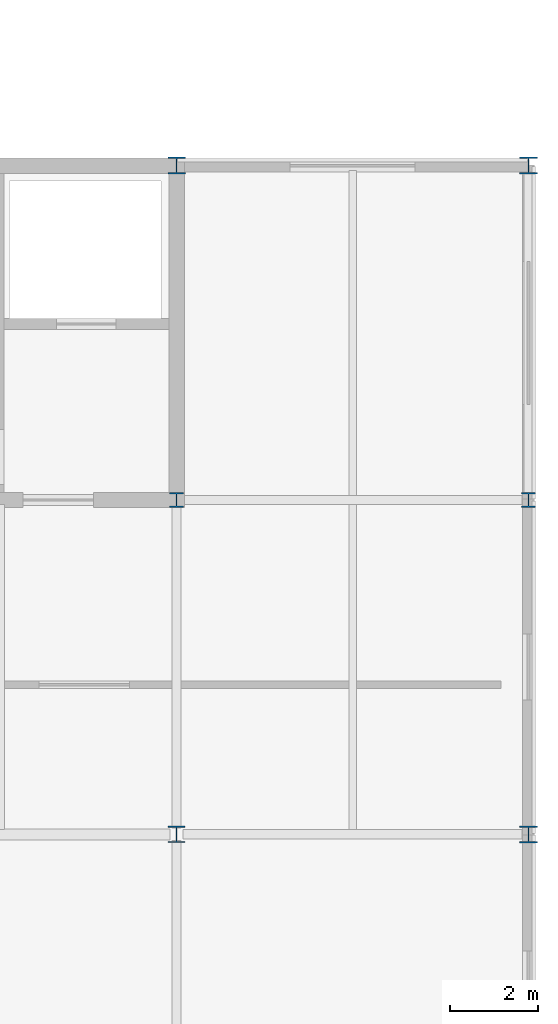
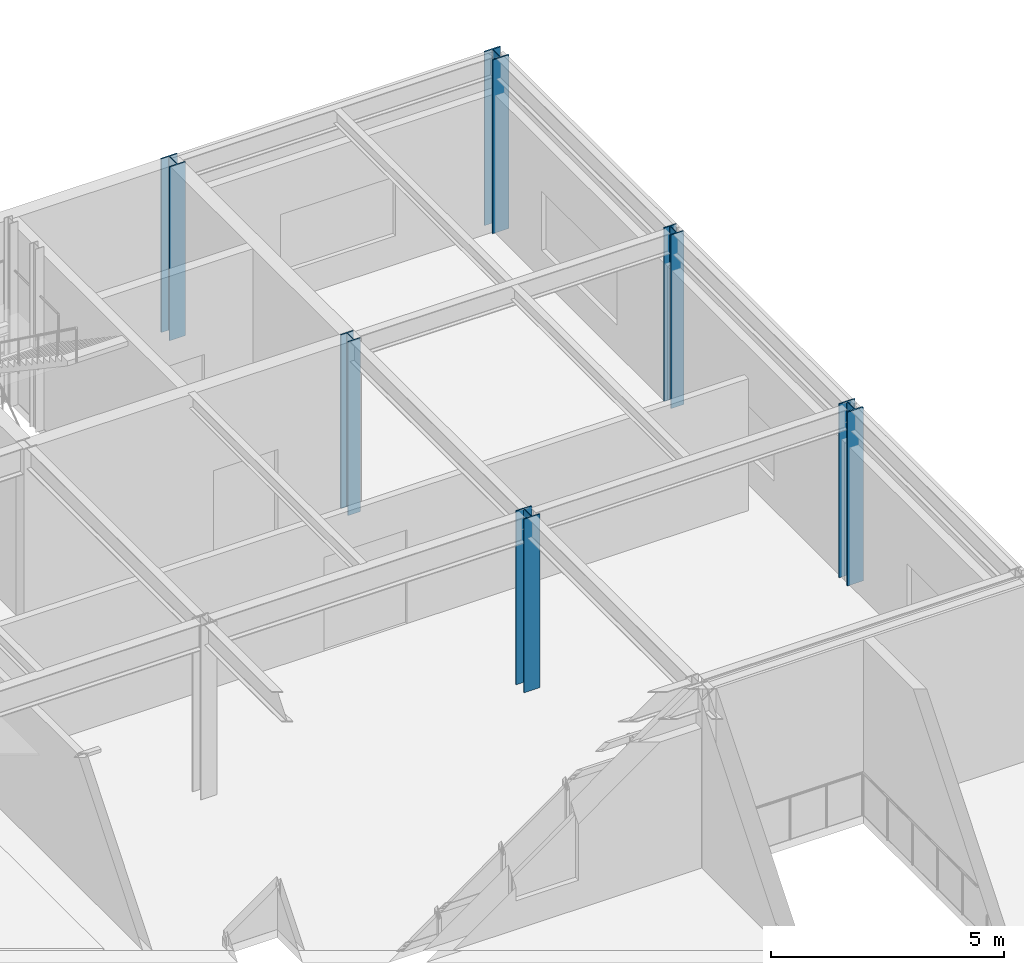
# One storey, part 18 of 104: 6 columns.
"""IFC4 building model written with IfcOpenShell, lengths in metres."""

from ifc_helpers import new_model, si_unit, direction, frame, origin, origin_2d, place, context, subcontext, project, spatial, i_section, extrude, material, material_profile, profile_set, type_object, element, save


model = new_model("IFC4")

# Units and contexts
model_context = context("Model", 3, precision=1e-05, world=origin(), true_north=direction((0.0, 1.0)))
body_context = subcontext(model_context, "Body", "Model", "MODEL_VIEW")
ifc_project = project(units=[si_unit("LENGTHUNIT", "METRE"), si_unit("AREAUNIT", "SQUARE_METRE"), si_unit("VOLUMEUNIT", "CUBIC_METRE"), si_unit("PLANEANGLEUNIT", "RADIAN"), si_unit("MASSUNIT", "GRAM", prefix="KILO")], contexts=[model_context])

# Site, building, storey
site_placement = place(None, origin())
site = spatial("IfcSite", under=ifc_project, at=site_placement, CompositionType="ELEMENT")
building_placement = place(site_placement, origin())
building = spatial("IfcBuilding", under=site, at=building_placement, Name="Zulena Civic Courthouse", CompositionType="ELEMENT")
storey_placement = place(building_placement, frame((0.0, 0.0, 15.60009765625)))
storey = spatial("IfcBuildingStorey", under=building, at=storey_placement, Name="L03", CompositionType="ELEMENT", Elevation=15.60009765625)

# Columns
ifc_material = material(Name="Steel ASTM A992 Grade 50", Category="steel")
ifc_material_profile_1 = material_profile(ifc_material, i_section(OverallWidth=0.31298828125, OverallDepth=0.3330078125, WebThickness=0.01806640625, FlangeThickness=0.0283203125, FilletRadius=0.01513671875, at=origin_2d()), Name="W12X120")
ifc_profile_set_1 = profile_set([ifc_material_profile_1], Name="Steel ASTM A992 Grade 50")
column_type_1 = type_object("IfcColumnType", Name="Col_W12X120", PredefinedType="COLUMN", material=ifc_profile_set_1)
for number, where, z_axis, x_axis, name in (
    (1, (164.0, 45.60009765625, 0.0), (0.0, 0.0, 1.0), (1.0, 0.0, 0.0), "col:V3:L03:164.0:45.6"),
    (2, (172.0, 45.60009765625, 0.0), (0.0, 0.0, 1.0), (1.0, 0.0, 0.0), "col:V3:L03:172.0:45.6"),
):
    element("IfcColumn", number, at=place(storey_placement, frame(where, z_axis=z_axis, x_axis=x_axis)), inside=storey, type_object=column_type_1, Name=name, PredefinedType="COLUMN", context=body_context, shape_type="SweptSolid", body=[
        extrude(i_section(OverallWidth=0.31298828125, OverallDepth=0.3330078125, WebThickness=0.01806640625, FlangeThickness=0.0283203125, FilletRadius=0.01513671875, at=origin_2d()), origin(), (0.0, 0.0, 1.0), 4.544921875),
    ])
ifc_material_profile_2 = material_profile(ifc_material, i_section(OverallWidth=0.39404296875, OverallDepth=0.3759765625, WebThickness=0.017333984375, FlangeThickness=0.027587890625, FilletRadius=0.01513671875, at=origin_2d()), Name="W14X145")
ifc_profile_set_2 = profile_set([ifc_material_profile_2], Name="Steel ASTM A992 Grade 50")
column_type_2 = type_object("IfcColumnType", Name="Col_W14X145", PredefinedType="COLUMN", material=ifc_profile_set_2)
column_placement = place(storey_placement, frame((164.0, 38.0, 0.0), z_axis=(0.0, 0.0, 1.0), x_axis=(1.0, 0.0, 0.0)))
element("IfcColumn", 3, at=column_placement, inside=storey, type_object=column_type_2, Name="col:V3:L03:164.0:38.0", PredefinedType="COLUMN", context=body_context, shape_type="SweptSolid", body=[
    extrude(i_section(OverallWidth=0.39404296875, OverallDepth=0.3759765625, WebThickness=0.017333984375, FlangeThickness=0.027587890625, FilletRadius=0.01513671875, at=origin_2d()), origin(), (0.0, 0.0, 1.0), 4.544921875),
])
ifc_material_profile_3 = material_profile(ifc_material, i_section(OverallWidth=0.39892578125, OverallDepth=0.386962890625, WebThickness=0.02099609375, FlangeThickness=0.033203125, FilletRadius=0.01513671875, at=origin_2d()), Name="W14X176")
ifc_profile_set_3 = profile_set([ifc_material_profile_3], Name="Steel ASTM A992 Grade 50")
column_type_3 = type_object("IfcColumnType", Name="Col_W14X176", PredefinedType="COLUMN", material=ifc_profile_set_3)
for number, where, z_axis, x_axis, name in (
    (4, (164.0, 53.199951171875, 0.0), (0.0, 0.0, 1.0), (1.0, 0.0, 0.0), "col:V3:L03:164.0:53.2"),
    (5, (172.0, 38.0, 0.0), (0.0, 0.0, 1.0), (1.0, 0.0, 0.0), "col:V3:L03:172.0:38.0"),
    (6, (172.0, 53.199951171875, 0.0), (0.0, 0.0, 1.0), (1.0, 0.0, 0.0), "col:V3:L03:172.0:53.2"),
):
    element("IfcColumn", number, at=place(storey_placement, frame(where, z_axis=z_axis, x_axis=x_axis)), inside=storey, type_object=column_type_3, Name=name, PredefinedType="COLUMN", context=body_context, shape_type="SweptSolid", body=[
        extrude(i_section(OverallWidth=0.39892578125, OverallDepth=0.386962890625, WebThickness=0.02099609375, FlangeThickness=0.033203125, FilletRadius=0.01513671875, at=origin_2d()), origin(), (0.0, 0.0, 1.0), 4.544921875),
    ])

save(model, "model.ifc")
